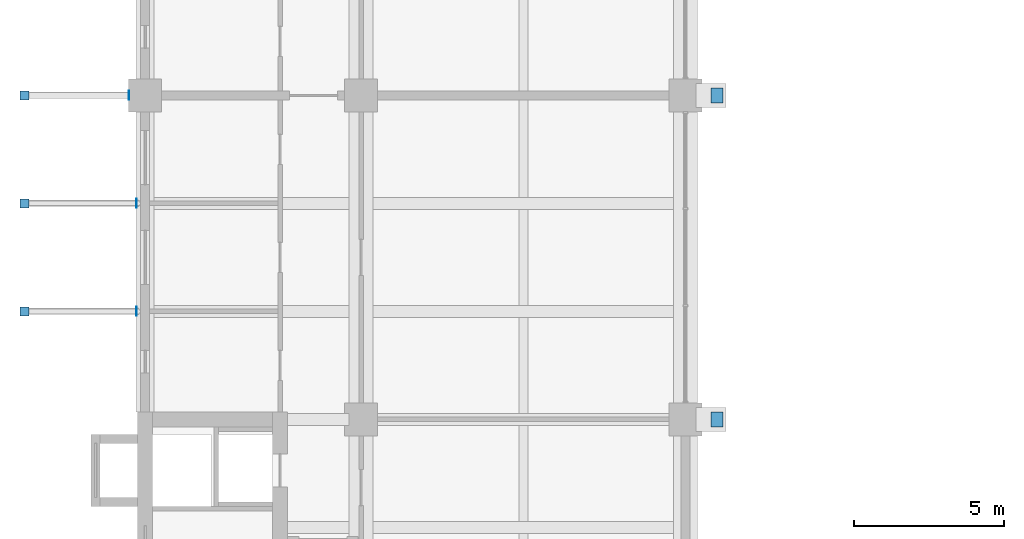
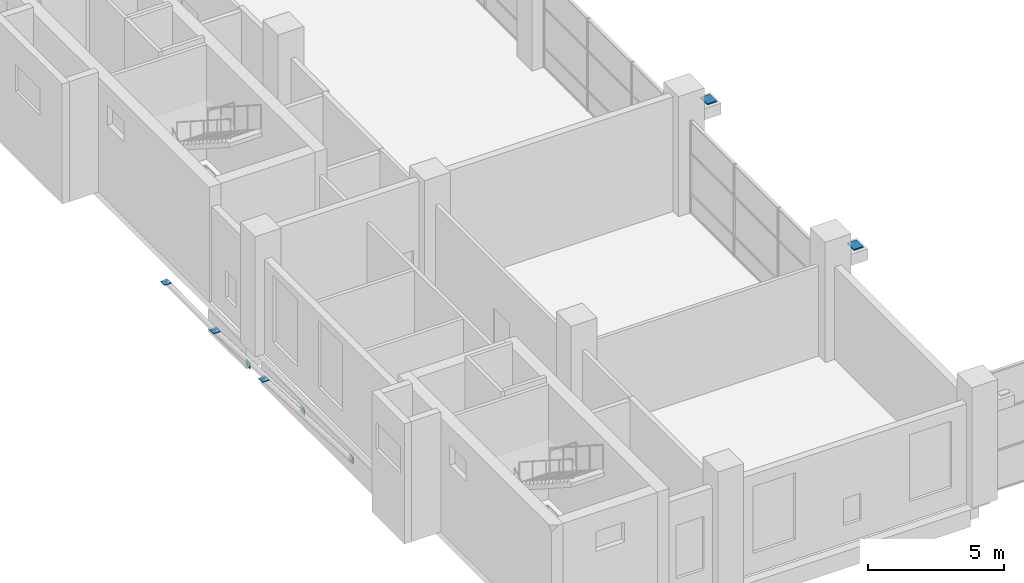
# One storey, part 27 of 38: 8 discrete accessories.
"""IFC4 building model written with IfcOpenShell, lengths in metres."""

from ifc_helpers import new_model, si_unit, direction, frame, origin, origin_2d, place, context, subcontext, project, spatial, rectangle, extrude, material, type_object, element, save


model = new_model("IFC4")

# Units and contexts
model_context = context("Model", 3, precision=1e-05, world=origin(), true_north=direction((0.0, 1.0)))
body_context = subcontext(model_context, "Body", "Model", "MODEL_VIEW")
ifc_project = project(units=[si_unit("LENGTHUNIT", "METRE"), si_unit("AREAUNIT", "SQUARE_METRE"), si_unit("VOLUMEUNIT", "CUBIC_METRE"), si_unit("PLANEANGLEUNIT", "RADIAN"), si_unit("MASSUNIT", "GRAM", prefix="KILO")], contexts=[model_context])

# Site, building, storey
site_placement = place(None, origin())
site = spatial("IfcSite", under=ifc_project, at=site_placement, CompositionType="ELEMENT")
building_placement = place(site_placement, origin())
building = spatial("IfcBuilding", under=site, at=building_placement, Name="Basin Gate Institute", CompositionType="ELEMENT")
storey_placement = place(building_placement, frame((0.0, 0.0, 16.800048828125)))
storey = spatial("IfcBuildingStorey", under=building, at=storey_placement, Name="L03", CompositionType="ELEMENT", Elevation=16.800048828125)

# Discrete accessories
ifc_material_1 = material(Name="Structural steel SN490", Category="steel")
discrete_accessory_type_1 = type_object("IfcDiscreteAccessoryType", Name="Brace end plate BP300", PredefinedType="BRACKET", material=ifc_material_1)
discrete_accessory_1_placement = place(storey_placement, frame((60.913818359375, 49.5, -0.80224609375), z_axis=(0.0, 0.0, 1.0), x_axis=(1.0, 0.0, 0.0)))
element("IfcDiscreteAccessory", 1, at=discrete_accessory_1_placement, inside=storey, type_object=discrete_accessory_type_1, material=ifc_material_1, Name="Tray bracket W L04 tray 1.1 end plate 1", PredefinedType="BRACKET", context=body_context, shape_type="SweptSolid", body=[
    extrude(rectangle(XDim=0.02001953125, YDim=0.300048828125, at=origin_2d()), origin(), (0.0, 0.0, 1.0), 0.300048828125),
])
discrete_accessory_2_placement = place(storey_placement, frame((57.180419921875, 49.5, 4.22998046875), z_axis=(0.0, 0.0, 1.0), x_axis=(1.0, 0.0, 0.0)))
element("IfcDiscreteAccessory", 2, at=discrete_accessory_2_placement, inside=storey, type_object=discrete_accessory_type_1, material=ifc_material_1, Name="Tray bracket W L04 tray 1.1 end plate 2", PredefinedType="BRACKET", context=body_context, shape_type="SweptSolid", body=[
    extrude(rectangle(XDim=0.300048828125, YDim=0.300048828125, at=origin_2d()), origin(), (0.0, 0.0, 1.0), 0.02001953125),
])
discrete_accessory_3_placement = place(storey_placement, frame((60.913818359375, 53.10009765625, -0.80224609375), z_axis=(0.0, 0.0, 1.0), x_axis=(1.0, 0.0, 0.0)))
element("IfcDiscreteAccessory", 3, at=discrete_accessory_3_placement, inside=storey, type_object=discrete_accessory_type_1, material=ifc_material_1, Name="Tray bracket W L04 tray 1.2 end plate 1", PredefinedType="BRACKET", context=body_context, shape_type="SweptSolid", body=[
    extrude(rectangle(XDim=0.02001953125, YDim=0.300048828125, at=origin_2d()), origin(), (0.0, 0.0, 1.0), 0.300048828125),
])
discrete_accessory_4_placement = place(storey_placement, frame((57.180419921875, 53.10009765625, 4.22998046875), z_axis=(0.0, 0.0, 1.0), x_axis=(1.0, 0.0, 0.0)))
element("IfcDiscreteAccessory", 4, at=discrete_accessory_4_placement, inside=storey, type_object=discrete_accessory_type_1, material=ifc_material_1, Name="Tray bracket W L04 tray 1.2 end plate 2", PredefinedType="BRACKET", context=body_context, shape_type="SweptSolid", body=[
    extrude(rectangle(XDim=0.300048828125, YDim=0.300048828125, at=origin_2d()), origin(), (0.0, 0.0, 1.0), 0.02001953125),
])
discrete_accessory_5_placement = place(storey_placement, frame((60.665283203125, 56.699951171875, -0.80126953125), z_axis=(0.0, 0.0, 1.0), x_axis=(1.0, 0.0, 0.0)))
element("IfcDiscreteAccessory", 5, at=discrete_accessory_5_placement, inside=storey, type_object=discrete_accessory_type_1, material=ifc_material_1, Name="Tray bracket W L04 tray 1.3 end plate 1", PredefinedType="BRACKET", context=body_context, shape_type="SweptSolid", body=[
    extrude(rectangle(XDim=0.02001953125, YDim=0.300048828125, at=origin_2d()), origin(), (0.0, 0.0, 1.0), 0.300048828125),
])
discrete_accessory_6_placement = place(storey_placement, frame((57.178955078125, 56.699951171875, 4.22998046875), z_axis=(0.0, 0.0, 1.0), x_axis=(1.0, 0.0, 0.0)))
element("IfcDiscreteAccessory", 6, at=discrete_accessory_6_placement, inside=storey, type_object=discrete_accessory_type_1, material=ifc_material_1, Name="Tray bracket W L04 tray 1.3 end plate 2", PredefinedType="BRACKET", context=body_context, shape_type="SweptSolid", body=[
    extrude(rectangle(XDim=0.300048828125, YDim=0.300048828125, at=origin_2d()), origin(), (0.0, 0.0, 1.0), 0.02001953125),
])
ifc_material_2 = material(Name="Stainless steel plate on PTFE sliding surface", Category="steel")
discrete_accessory_type_2 = type_object("IfcDiscreteAccessoryType", Name="Sliding bearing BR1", PredefinedType="SHOE", material=ifc_material_2)
for number, where, z_axis, x_axis, name in (
    (7, (80.25, 45.89990234375, 4.35009765625), (0.0, 0.0, 1.0), (1.0, 0.0, 0.0), "Atrium shell sliding bearing 2W"),
    (8, (80.25, 56.699951171875, 4.35009765625), (0.0, 0.0, 1.0), (1.0, 0.0, 0.0), "Atrium shell sliding bearing 3W"),
):
    element("IfcDiscreteAccessory", number, at=place(storey_placement, frame(where, z_axis=z_axis, x_axis=x_axis)), inside=storey, type_object=discrete_accessory_type_2, material=ifc_material_2, Name=name, PredefinedType="SHOE", context=body_context, shape_type="SweptSolid", body=[
        extrude(rectangle(XDim=0.39990234375, YDim=0.5, at=origin_2d()), origin(), (0.0, 0.0, 1.0), 0.050048828125),
    ])

save(model, "model.ifc")
